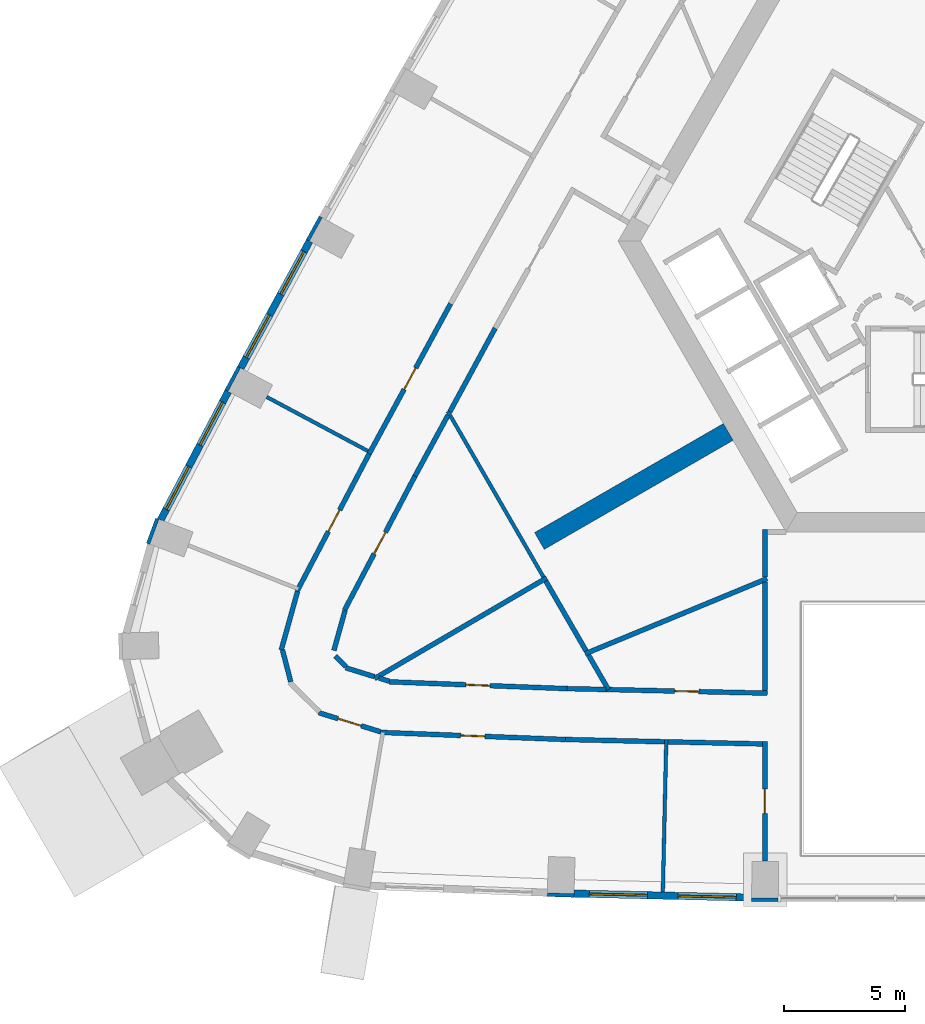
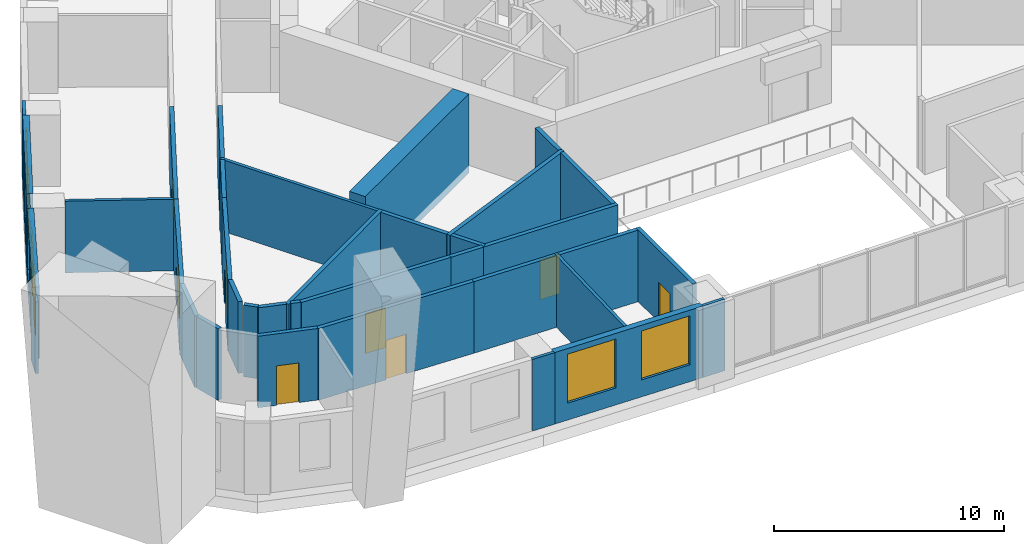
# One storey, part 4 of 15: 37 walls, 8 doors, 6 windows, 14 openings.
"""IFC4 building model written with IfcOpenShell, lengths in metres."""

from ifc_helpers import new_model, si_unit, direction, frame, frame_2d, origin, place, context, subcontext, project, spatial, rectangle, extrude, material, layer, layer_set, type_object, element, fill, save


model = new_model("IFC4")

# Units and contexts
model_context = context("Model", 3, precision=1e-05, world=origin(), true_north=direction((0.0, 1.0)))
body_context = subcontext(model_context, "Body", "Model", "MODEL_VIEW")
ifc_project = project(units=[si_unit("LENGTHUNIT", "METRE"), si_unit("AREAUNIT", "SQUARE_METRE"), si_unit("VOLUMEUNIT", "CUBIC_METRE"), si_unit("PLANEANGLEUNIT", "RADIAN"), si_unit("MASSUNIT", "GRAM", prefix="KILO")], contexts=[model_context])

# Site, building, storey
site_placement = place(None, origin())
site = spatial("IfcSite", under=ifc_project, at=site_placement, CompositionType="ELEMENT")
building_placement = place(site_placement, origin())
building = spatial("IfcBuilding", under=site, at=building_placement, Name="Entoto Arch Interchange Tower", CompositionType="ELEMENT")
storey_placement = place(building_placement, frame((0.0, 0.0, 150.800048828125)))
storey = spatial("IfcBuildingStorey", under=building, at=storey_placement, Name="L33", CompositionType="ELEMENT", Elevation=150.800048828125)

# Walls
ifc_material_1 = material(Name="Concrete C50/60", Category="concrete")
ifc_layer_1 = layer(ifc_material_1, 0.800048828125)
ifc_layer_set_1 = layer_set([ifc_layer_1], Name="Concrete C50/60")
wall_type_1 = type_object("IfcWallType", Name="Buttress wall 800 C50/60", PredefinedType="SHEAR", material=ifc_layer_set_1)
wall_1_placement = place(storey_placement, frame((-9.31005859375, -5.375, -0.400146484375), z_axis=(0.0, 0.0, 1.0), x_axis=(-0.866017533419, -0.500013631625, 0.0)))
element("IfcWall", 1, at=wall_1_placement, inside=storey, type_object=wall_type_1, Name="Buttress wall SW L33", PredefinedType="SHEAR", context=body_context, shape_type="SweptSolid", body=[
    extrude(rectangle(XDim=8.999755859375, YDim=0.800048828125, at=frame_2d((4.5, 0.0))), origin(), (0.0, 0.0, 1.0), 4.2001953125),
])
ifc_material_2 = material(Name="Gypsum board partition on steel studs", Category="steel")
ifc_layer_2 = layer(ifc_material_2, 0.14990234375)
ifc_layer_set_2 = layer_set([ifc_layer_2], Name="Gypsum board partition on steel studs")
wall_type_2 = type_object("IfcWallType", Name="PARTITION 150", PredefinedType="PARTITIONING", material=ifc_layer_set_2)
wall_2_placement = place(storey_placement, frame((-16.93896484375, -11.360107421875, 0.0), z_axis=(0.0, 0.0, 1.0), x_axis=(-0.500053473428, 0.865994528685, 0.0)))
element("IfcWall", 2, at=wall_2_placement, inside=storey, type_object=wall_type_2, Name="wall:L33:p119", PredefinedType="PARTITIONING", context=body_context, shape_type="SweptSolid", body=[
    extrude(rectangle(XDim=7.895263671875, YDim=0.14990234375, at=frame_2d((3.94775390625, 0.0))), origin(), (0.0, 0.0, 1.0), 3.800048828125),
])
wall_3_placement = place(storey_placement, frame((-24.181884765625, -6.162109375, 0.0), z_axis=(0.0, 0.0, 1.0), x_axis=(-0.88214427755, 0.470979270866, 0.0)))
element("IfcWall", 3, at=wall_3_placement, inside=storey, type_object=wall_type_2, Name="wall:L33:p135", PredefinedType="PARTITIONING", context=body_context, shape_type="SweptSolid", body=[
    extrude(rectangle(XDim=4.730712890625, YDim=0.14990234375, at=frame_2d((2.365234375, 0.0))), origin(), (0.0, 0.0, 1.0), 3.800048828125),
])
wall_4_placement = place(storey_placement, frame((-11.867919921875, -18.06298828125, 0.0), z_axis=(0.0, 0.0, 1.0), x_axis=(-0.022551528502, -0.999745681942, 0.0)))
element("IfcWall", 4, at=wall_4_placement, inside=storey, type_object=wall_type_2, Name="wall:L33:p138", PredefinedType="PARTITIONING", context=body_context, shape_type="SweptSolid", body=[
    extrude(rectangle(XDim=6.30078125, YDim=0.14990234375, at=frame_2d((3.150390625, 0.0))), origin(), (0.0, 0.0, 1.0), 3.800048828125),
])
ifc_layer_3 = layer(ifc_material_2, 0.199951171875)
ifc_layer_set_3 = layer_set([ifc_layer_3], Name="Gypsum board partition on steel studs")
wall_type_3 = type_object("IfcWallType", Name="PARTITION 200", PredefinedType="PARTITIONING", material=ifc_layer_set_3)
wall_5_placement = place(storey_placement, frame((-18.929931640625, -1.094970703125, 0.0), z_axis=(0.0, 0.0, 1.0), x_axis=(-0.476854303058, -0.878982351162, 0.0)))
element("IfcWall", 5, at=wall_5_placement, inside=storey, type_object=wall_type_3, Name="wall:L33:p028", PredefinedType="PARTITIONING", context=body_context, shape_type="SweptSolid", body=[
    extrude(rectangle(XDim=3.923828125, YDim=0.199951171875, at=frame_2d((1.9619140625, 0.0))), origin(), (0.0, 0.0, 1.0), 3.800048828125),
])

# Wall, opening, door
wall_6_placement = place(storey_placement, frame((-14.35595703125, -16.006103515625, 0.0), z_axis=(0.0, 0.0, 1.0), x_axis=(0.999743177933, -0.022662263286, 0.0)))
wall_6 = element("IfcWall", 6, at=wall_6_placement, inside=storey, type_object=wall_type_3, Name="wall:L33:p031", PredefinedType="PARTITIONING", context=body_context, shape_type="SweptSolid", body=[
    extrude(rectangle(XDim=6.65771484375, YDim=0.199951171875, at=frame_2d((3.328857421875, 0.0))), origin(), (0.0, 0.0, 1.0), 3.800048828125),
])
opening_1_placement = place(wall_6_placement, frame((2.8291015625, 0.0, 0.0)))
opening_1 = element("IfcOpeningElement", 7, at=opening_1_placement, cuts=wall_6, Name="Opening L33-D25", PredefinedType="OPENING", context=body_context, shape_type="SweptSolid", body=[
    extrude(rectangle(XDim=1.0, YDim=2.10009765625, at=frame_2d((0.5, 1.050048828125))), frame((0.0, 0.10986328125, 0.0), z_axis=(0.0, -1.0, 0.0), x_axis=(1.0, 0.0, 0.0)), (0.0, 0.0, 1.0), 0.219970703125),
])
ifc_material_3 = material(Name="Timber door leaf in Steel S235 frame", Category="steel")
door_type = type_object("IfcDoorType", Name="DOOR DS-10 1000x2100", OperationType="SINGLE_SWING_LEFT", PredefinedType="DOOR", material=ifc_material_3)
door_1_placement = place(opening_1_placement, origin())
door_1 = element("IfcDoor", 8, at=door_1_placement, inside=storey, type_object=door_type, Name="door:L33:25", OperationType="SINGLE_SWING_LEFT", OverallHeight=2.10009765625, OverallWidth=1.0, PredefinedType="DOOR", context=body_context, shape_type="SweptSolid", body=[
    extrude(rectangle(XDim=1.0, YDim=2.10009765625, at=frame_2d((0.5, 1.050048828125))), frame((0.0, 0.02490234375, 0.0), z_axis=(0.0, -1.0, 0.0), x_axis=(1.0, 0.0, 0.0)), (0.0, 0.0, 1.0), 0.050048828125),
])
fill(opening_1, door_1)

# Wall
wall_7_placement = place(storey_placement, frame((-20.873046875, -4.676025390625, 0.0), z_axis=(0.0, 0.0, 1.0), x_axis=(-0.476781985736, -0.879021579984, 0.0)))
element("IfcWall", 9, at=wall_7_placement, inside=storey, type_object=wall_type_3, Name="wall:L33:p032", PredefinedType="PARTITIONING", context=body_context, shape_type="SweptSolid", body=[
    extrude(rectangle(XDim=2.869140625, YDim=0.199951171875, at=frame_2d((1.4345703125, 0.0))), origin(), (0.0, 0.0, 1.0), 3.800048828125),
])

# Wall, opening, door
wall_8_placement = place(storey_placement, frame((-22.240966796875, -7.197998046875, 0.0), z_axis=(0.0, 0.0, 1.0), x_axis=(-0.465089990515, -0.885263407536, 0.0)))
wall_8 = element("IfcWall", 10, at=wall_8_placement, inside=storey, type_object=wall_type_3, Name="wall:L33:p033", PredefinedType="PARTITIONING", context=body_context, shape_type="SweptSolid", body=[
    extrude(rectangle(XDim=6.23974609375, YDim=0.199951171875, at=frame_2d((3.119873046875, 0.0))), origin(), (0.0, 0.0, 1.0), 3.800048828125),
])
opening_2_placement = place(wall_8_placement, frame((2.6201171875, 0.0, 0.0)))
opening_2 = element("IfcOpeningElement", 11, at=opening_2_placement, cuts=wall_8, Name="Opening L33-D26", PredefinedType="OPENING", context=body_context, shape_type="SweptSolid", body=[
    extrude(rectangle(XDim=1.0, YDim=2.10009765625, at=frame_2d((0.5, 1.050048828125))), frame((0.0, 0.10986328125, 0.0), z_axis=(0.0, -1.0, 0.0), x_axis=(1.0, 0.0, 0.0)), (0.0, 0.0, 1.0), 0.219970703125),
])
door_2_placement = place(opening_2_placement, origin())
door_2 = element("IfcDoor", 12, at=door_2_placement, inside=storey, type_object=door_type, Name="door:L33:26", OperationType="SINGLE_SWING_LEFT", OverallHeight=2.10009765625, OverallWidth=1.0, PredefinedType="DOOR", context=body_context, shape_type="SweptSolid", body=[
    extrude(rectangle(XDim=1.0, YDim=2.10009765625, at=frame_2d((0.5, 1.050048828125))), frame((0.0, 0.02490234375, 0.0), z_axis=(0.0, -1.0, 0.0), x_axis=(1.0, 0.0, 0.0)), (0.0, 0.0, 1.0), 0.050048828125),
])
fill(opening_2, door_2)

# Walls
wall_9_placement = place(storey_placement, frame((-25.123046875, -12.72998046875, 0.0), z_axis=(0.0, 0.0, 1.0), x_axis=(-0.268139825244, -0.963380005044, 0.0)))
element("IfcWall", 13, at=wall_9_placement, inside=storey, type_object=wall_type_3, Name="wall:L33:p034", PredefinedType="PARTITIONING", context=body_context, shape_type="SweptSolid", body=[
    extrude(rectangle(XDim=1.726318359375, YDim=0.199951171875, at=frame_2d((0.86328125, 0.0))), origin(), (0.0, 0.0, 1.0), 3.800048828125),
])
wall_10_placement = place(storey_placement, frame((-25.52587890625, -14.6259765625, 0.0), z_axis=(0.0, 0.0, 1.0), x_axis=(0.711758647644, -0.702424108003, 0.0)))
element("IfcWall", 14, at=wall_10_placement, inside=storey, type_object=wall_type_3, Name="wall:L33:p035", PredefinedType="PARTITIONING", context=body_context, shape_type="SweptSolid", body=[
    extrude(rectangle(XDim=0.627685546875, YDim=0.199951171875, at=frame_2d((0.31396484375, 0.0))), origin(), (0.0, 0.0, 1.0), 3.800048828125),
])
wall_11_placement = place(storey_placement, frame((-25.10302734375, -15.10791015625, 0.0), z_axis=(0.0, 0.0, 1.0), x_axis=(0.955420813731, -0.295247470251, 0.0)))
element("IfcWall", 15, at=wall_11_placement, inside=storey, type_object=wall_type_3, Name="wall:L33:p036", PredefinedType="PARTITIONING", context=body_context, shape_type="SweptSolid", body=[
    extrude(rectangle(XDim=1.240234375, YDim=0.199951171875, at=frame_2d((0.6201171875, 0.0))), origin(), (0.0, 0.0, 1.0), 3.800048828125),
])
wall_12_placement = place(storey_placement, frame((-23.72705078125, -15.531982421875, 0.0), z_axis=(0.0, 0.0, 1.0), x_axis=(0.955237350621, -0.295840504289, 0.0)))
element("IfcWall", 16, at=wall_12_placement, inside=storey, type_object=wall_type_3, Name="wall:L33:p037", PredefinedType="PARTITIONING", context=body_context, shape_type="SweptSolid", body=[
    extrude(rectangle(XDim=0.43994140625, YDim=0.199951171875, at=frame_2d((0.219970703125, 0.0))), origin(), (0.0, 0.0, 1.0), 3.800048828125),
])

# Wall, opening, door
wall_13_placement = place(storey_placement, frame((-23.31103515625, -15.68798828125, 0.0), z_axis=(0.0, 0.0, 1.0), x_axis=(0.999262695969, -0.038393546916, 0.0)))
wall_13 = element("IfcWall", 17, at=wall_13_placement, inside=storey, type_object=wall_type_3, Name="wall:L33:p038", PredefinedType="PARTITIONING", context=body_context, shape_type="SweptSolid", body=[
    extrude(rectangle(XDim=7.344482421875, YDim=0.199951171875, at=frame_2d((3.67236328125, 0.0))), origin(), (0.0, 0.0, 1.0), 3.800048828125),
])
opening_3_placement = place(wall_13_placement, frame((3.172119140625, 0.0, 0.0)))
opening_3 = element("IfcOpeningElement", 18, at=opening_3_placement, cuts=wall_13, Name="Opening L33-D27", PredefinedType="OPENING", context=body_context, shape_type="SweptSolid", body=[
    extrude(rectangle(XDim=1.0, YDim=2.10009765625, at=frame_2d((0.5, 1.050048828125))), frame((0.0, 0.10986328125, 0.0), z_axis=(0.0, -1.0, 0.0), x_axis=(1.0, 0.0, 0.0)), (0.0, 0.0, 1.0), 0.219970703125),
])
door_3_placement = place(opening_3_placement, origin())
door_3 = element("IfcDoor", 19, at=door_3_placement, inside=storey, type_object=door_type, Name="door:L33:27", OperationType="SINGLE_SWING_RIGHT", OverallHeight=2.10009765625, OverallWidth=1.0, PredefinedType="DOOR", context=body_context, shape_type="SweptSolid", body=[
    extrude(rectangle(XDim=1.0, YDim=2.10009765625, at=frame_2d((0.5, 1.050048828125))), frame((0.0, 0.02490234375, 0.0), z_axis=(0.0, -1.0, 0.0), x_axis=(1.0, 0.0, 0.0)), (0.0, 0.0, 1.0), 0.050048828125),
])
fill(opening_3, door_3)

# Wall
wall_14_placement = place(storey_placement, frame((-15.971923828125, -15.969970703125, 0.0), z_axis=(0.0, 0.0, 1.0), x_axis=(0.999750111735, -0.022354285623, 0.0)))
element("IfcWall", 20, at=wall_14_placement, inside=storey, type_object=wall_type_3, Name="wall:L33:p039", PredefinedType="PARTITIONING", context=body_context, shape_type="SweptSolid", body=[
    extrude(rectangle(XDim=1.616455078125, YDim=0.199951171875, at=frame_2d((0.80810546875, 0.0))), origin(), (0.0, 0.0, 1.0), 3.800048828125),
])

# Wall, opening, door
wall_15_placement = place(storey_placement, frame((-24.1298828125, -6.27490234375, 0.0), z_axis=(0.0, 0.0, 1.0), x_axis=(0.476981750532, 0.878913198023, 0.0)))
wall_15 = element("IfcWall", 21, at=wall_15_placement, inside=storey, type_object=wall_type_3, Name="wall:L33:p064", PredefinedType="PARTITIONING", context=body_context, shape_type="SweptSolid", body=[
    extrude(rectangle(XDim=7.046142578125, YDim=0.199951171875, at=frame_2d((3.52294921875, 0.0))), origin(), (0.0, 0.0, 1.0), 3.800048828125),
])
opening_4_placement = place(wall_15_placement, frame((3.02294921875, 0.0, 0.0)))
opening_4 = element("IfcOpeningElement", 22, at=opening_4_placement, cuts=wall_15, Name="Opening L33-D13", PredefinedType="OPENING", context=body_context, shape_type="SweptSolid", body=[
    extrude(rectangle(XDim=1.0, YDim=2.10009765625, at=frame_2d((0.5, 1.050048828125))), frame((0.0, 0.10986328125, 0.0), z_axis=(0.0, -1.0, 0.0), x_axis=(1.0, 0.0, 0.0)), (0.0, 0.0, 1.0), 0.219970703125),
])
door_4_placement = place(opening_4_placement, origin())
door_4 = element("IfcDoor", 23, at=door_4_placement, inside=storey, type_object=door_type, Name="door:L33:13", OperationType="SINGLE_SWING_RIGHT", OverallHeight=2.10009765625, OverallWidth=1.0, PredefinedType="DOOR", context=body_context, shape_type="SweptSolid", body=[
    extrude(rectangle(XDim=1.0, YDim=2.10009765625, at=frame_2d((0.5, 1.050048828125))), frame((0.0, 0.02490234375, 0.0), z_axis=(0.0, -1.0, 0.0), x_axis=(1.0, 0.0, 0.0)), (0.0, 0.0, 1.0), 0.050048828125),
])
fill(opening_4, door_4)

wall_16_placement = place(storey_placement, frame((-27.10595703125, -11.944091796875, 0.0), z_axis=(0.0, 0.0, 1.0), x_axis=(0.464985599417, 0.885318243534, 0.0)))
wall_16 = element("IfcWall", 24, at=wall_16_placement, inside=storey, type_object=wall_type_3, Name="wall:L33:p066", PredefinedType="PARTITIONING", context=body_context, shape_type="SweptSolid", body=[
    extrude(rectangle(XDim=6.40234375, YDim=0.199951171875, at=frame_2d((3.201171875, 0.0))), origin(), (0.0, 0.0, 1.0), 3.800048828125),
])
opening_5_placement = place(wall_16_placement, frame((2.77587890625, 0.0, 0.0)))
opening_5 = element("IfcOpeningElement", 25, at=opening_5_placement, cuts=wall_16, Name="Opening L33-D14", PredefinedType="OPENING", context=body_context, shape_type="SweptSolid", body=[
    extrude(rectangle(XDim=1.0, YDim=2.10009765625, at=frame_2d((0.5, 1.050048828125))), frame((0.0, 0.10986328125, 0.0), z_axis=(0.0, -1.0, 0.0), x_axis=(1.0, 0.0, 0.0)), (0.0, 0.0, 1.0), 0.219970703125),
])
door_5_placement = place(opening_5_placement, origin())
door_5 = element("IfcDoor", 26, at=door_5_placement, inside=storey, type_object=door_type, Name="door:L33:14", OperationType="SINGLE_SWING_LEFT", OverallHeight=2.10009765625, OverallWidth=1.0, PredefinedType="DOOR", context=body_context, shape_type="SweptSolid", body=[
    extrude(rectangle(XDim=1.0, YDim=2.10009765625, at=frame_2d((0.5, 1.050048828125))), frame((0.0, 0.02490234375, 0.0), z_axis=(0.0, -1.0, 0.0), x_axis=(1.0, 0.0, 0.0)), (0.0, 0.0, 1.0), 0.050048828125),
])
fill(opening_5, door_5)

wall_17_placement = place(storey_placement, frame((-23.6630859375, -17.75, 0.0), z_axis=(0.0, 0.0, 1.0), x_axis=(-0.955509582123, 0.294960062501, 0.0)))
wall_17 = element("IfcWall", 27, at=wall_17_placement, inside=storey, type_object=wall_type_3, Name="wall:L33:p067", PredefinedType="PARTITIONING", context=body_context, shape_type="SweptSolid", body=[
    extrude(rectangle(XDim=2.66845703125, YDim=0.199951171875, at=frame_2d((1.334228515625, 0.0))), origin(), (0.0, 0.0, 1.0), 3.800048828125),
])
opening_6_placement = place(wall_17_placement, frame((0.833984375, 0.0, 0.0)))
opening_6 = element("IfcOpeningElement", 28, at=opening_6_placement, cuts=wall_17, Name="Opening L33-D15", PredefinedType="OPENING", context=body_context, shape_type="SweptSolid", body=[
    extrude(rectangle(XDim=1.0, YDim=2.10009765625, at=frame_2d((0.5, 1.050048828125))), frame((0.0, 0.10986328125, 0.0), z_axis=(0.0, -1.0, 0.0), x_axis=(1.0, 0.0, 0.0)), (0.0, 0.0, 1.0), 0.219970703125),
])
door_6_placement = place(opening_6_placement, origin())
door_6 = element("IfcDoor", 29, at=door_6_placement, inside=storey, type_object=door_type, Name="door:L33:15", OperationType="SINGLE_SWING_LEFT", OverallHeight=2.10009765625, OverallWidth=1.0, PredefinedType="DOOR", context=body_context, shape_type="SweptSolid", body=[
    extrude(rectangle(XDim=1.0, YDim=2.10009765625, at=frame_2d((0.5, 1.050048828125))), frame((0.0, 0.02490234375, 0.0), z_axis=(0.0, -1.0, 0.0), x_axis=(1.0, 0.0, 0.0)), (0.0, 0.0, 1.0), 0.050048828125),
])
fill(opening_6, door_6)

# Walls
wall_18_placement = place(storey_placement, frame((-27.366943359375, -15.68798828125, 0.0), z_axis=(0.0, 0.0, 1.0), x_axis=(-0.25159336549, 0.967833032316, 0.0)))
element("IfcWall", 30, at=wall_18_placement, inside=storey, type_object=wall_type_3, Name="wall:L33:p069", PredefinedType="PARTITIONING", context=body_context, shape_type="SweptSolid", body=[
    extrude(rectangle(XDim=1.355712890625, YDim=0.199951171875, at=frame_2d((0.677734375, 0.0))), origin(), (0.0, 0.0, 1.0), 3.800048828125),
])
wall_19_placement = place(storey_placement, frame((-27.760009765625, -14.3759765625, 0.0), z_axis=(0.0, 0.0, 1.0), x_axis=(0.267909096687, 0.963444194498, 0.0)))
element("IfcWall", 31, at=wall_19_placement, inside=storey, type_object=wall_type_3, Name="wall:L33:p070", PredefinedType="PARTITIONING", context=body_context, shape_type="SweptSolid", body=[
    extrude(rectangle(XDim=2.51611328125, YDim=0.199951171875, at=frame_2d((1.258056640625, 0.0))), origin(), (0.0, 0.0, 1.0), 3.800048828125),
])
wall_20_placement = place(storey_placement, frame((-11.945068359375, -18.162109375, 0.0), z_axis=(0.0, 0.0, 1.0), x_axis=(-0.999741589065, 0.022732247877, 0.0)))
element("IfcWall", 32, at=wall_20_placement, inside=storey, type_object=wall_type_3, Name="wall:L33:p071", PredefinedType="PARTITIONING", context=body_context, shape_type="SweptSolid", body=[
    extrude(rectangle(XDim=4.091796875, YDim=0.199951171875, at=frame_2d((2.0458984375, 0.0))), origin(), (0.0, 0.0, 1.0), 3.800048828125),
])

# Wall, opening, door
wall_21_placement = place(storey_placement, frame((-16.035888671875, -18.069091796875, 0.0), z_axis=(0.0, 0.0, 1.0), x_axis=(-0.999262637786, 0.038395061202, 0.0)))
wall_21 = element("IfcWall", 33, at=wall_21_placement, inside=storey, type_object=wall_type_3, Name="wall:L33:p072", PredefinedType="PARTITIONING", context=body_context, shape_type="SweptSolid", body=[
    extrude(rectangle(XDim=7.63671875, YDim=0.199951171875, at=frame_2d((3.818359375, 0.0))), origin(), (0.0, 0.0, 1.0), 3.800048828125),
])
opening_7_placement = place(wall_21_placement, frame((3.318115234375, 0.0, 0.0)))
opening_7 = element("IfcOpeningElement", 34, at=opening_7_placement, cuts=wall_21, Name="Opening L33-D16", PredefinedType="OPENING", context=body_context, shape_type="SweptSolid", body=[
    extrude(rectangle(XDim=1.0, YDim=2.10009765625, at=frame_2d((0.5, 1.050048828125))), frame((0.0, 0.10986328125, 0.0), z_axis=(0.0, -1.0, 0.0), x_axis=(1.0, 0.0, 0.0)), (0.0, 0.0, 1.0), 0.219970703125),
])
door_7_placement = place(opening_7_placement, origin())
door_7 = element("IfcDoor", 35, at=door_7_placement, inside=storey, type_object=door_type, Name="door:L33:16", OperationType="SINGLE_SWING_RIGHT", OverallHeight=2.10009765625, OverallWidth=1.0, PredefinedType="DOOR", context=body_context, shape_type="SweptSolid", body=[
    extrude(rectangle(XDim=1.0, YDim=2.10009765625, at=frame_2d((0.5, 1.050048828125))), frame((0.0, 0.02490234375, 0.0), z_axis=(0.0, -1.0, 0.0), x_axis=(1.0, 0.0, 0.0)), (0.0, 0.0, 1.0), 0.050048828125),
])
fill(opening_7, door_7)

# Walls
wall_22_placement = place(storey_placement, frame((-7.89990234375, -18.2529296875, 0.0), z_axis=(0.0, 0.0, 1.0), x_axis=(-0.999745510411, 0.022559131487, 0.0)))
element("IfcWall", 36, at=wall_22_placement, inside=storey, type_object=wall_type_3, Name="wall:L33:p073", PredefinedType="PARTITIONING", context=body_context, shape_type="SweptSolid", body=[
    extrude(rectangle(XDim=3.89599609375, YDim=0.199951171875, at=frame_2d((1.947998046875, 0.0))), origin(), (0.0, 0.0, 1.0), 3.800048828125),
])
wall_23_placement = place(storey_placement, frame((-7.800048828125, -11.367919921875, 0.0), z_axis=(0.0, 0.0, 1.0), x_axis=(0.0, 1.0, 0.0)))
element("IfcWall", 37, at=wall_23_placement, inside=storey, type_object=wall_type_3, Name="wall:L33:p105", PredefinedType="PARTITIONING", context=body_context, shape_type="SweptSolid", body=[
    extrude(rectangle(XDim=1.968994140625, YDim=0.199951171875, at=frame_2d((0.984375, 0.0))), origin(), (0.0, 0.0, 1.0), 3.800048828125),
])
wall_24_placement = place(storey_placement, frame((-7.800048828125, -16.054931640625, 0.0), z_axis=(0.0, 0.0, 1.0), x_axis=(0.0, 1.0, 0.0)))
element("IfcWall", 38, at=wall_24_placement, inside=storey, type_object=wall_type_3, Name="wall:L33:p107", PredefinedType="PARTITIONING", context=body_context, shape_type="SweptSolid", body=[
    extrude(rectangle(XDim=4.48681640625, YDim=0.199951171875, at=frame_2d((2.243408203125, 0.0))), origin(), (0.0, 0.0, 1.0), 3.800048828125),
])

# Wall, opening, door
wall_25_placement = place(storey_placement, frame((-7.800048828125, -23.0869140625, 0.0), z_axis=(0.0, 0.0, 1.0), x_axis=(0.0, 1.0, 0.0)))
wall_25 = element("IfcWall", 39, at=wall_25_placement, inside=storey, type_object=wall_type_3, Name="wall:L33:p109", PredefinedType="PARTITIONING", context=body_context, shape_type="SweptSolid", body=[
    extrude(rectangle(XDim=4.931884765625, YDim=0.199951171875, at=frame_2d((2.4658203125, 0.0))), origin(), (0.0, 0.0, 1.0), 3.800048828125),
])
opening_8_placement = place(wall_25_placement, frame((1.966064453125, 0.0, 0.0)))
opening_8 = element("IfcOpeningElement", 40, at=opening_8_placement, cuts=wall_25, Name="Opening L33-D17", PredefinedType="OPENING", context=body_context, shape_type="SweptSolid", body=[
    extrude(rectangle(XDim=1.0, YDim=2.10009765625, at=frame_2d((0.5, 1.050048828125))), frame((0.0, 0.10986328125, 0.0), z_axis=(0.0, -1.0, 0.0), x_axis=(1.0, 0.0, 0.0)), (0.0, 0.0, 1.0), 0.219970703125),
])
door_8_placement = place(opening_8_placement, origin())
door_8 = element("IfcDoor", 41, at=door_8_placement, inside=storey, type_object=door_type, Name="door:L33:17", OperationType="SINGLE_SWING_LEFT", OverallHeight=2.10009765625, OverallWidth=1.0, PredefinedType="DOOR", context=body_context, shape_type="SweptSolid", body=[
    extrude(rectangle(XDim=1.0, YDim=2.10009765625, at=frame_2d((0.5, 1.050048828125))), frame((0.0, 0.02490234375, 0.0), z_axis=(0.0, -1.0, 0.0), x_axis=(1.0, 0.0, 0.0)), (0.0, 0.0, 1.0), 0.050048828125),
])
fill(opening_8, door_8)

# Walls
wall_26_placement = place(storey_placement, frame((-7.7080078125, -11.429931640625, 0.0), z_axis=(0.0, 0.0, 1.0), x_axis=(-0.924285151797, -0.381702709144, 0.0)))
element("IfcWall", 42, at=wall_26_placement, inside=storey, type_object=wall_type_3, Name="wall:L33:p118", PredefinedType="PARTITIONING", context=body_context, shape_type="SweptSolid", body=[
    extrude(rectangle(XDim=8.12939453125, YDim=0.199951171875, at=frame_2d((4.064697265625, 0.0))), origin(), (0.0, 0.0, 1.0), 3.800048828125),
])
wall_27_placement = place(storey_placement, frame((-15.179931640625, -14.407958984375, 0.0), z_axis=(0.0, 0.0, 1.0), x_axis=(-0.499968694491, 0.866043477274, 0.0)))
element("IfcWall", 43, at=wall_27_placement, inside=storey, type_object=wall_type_3, Name="wall:L33:p120", PredefinedType="PARTITIONING", context=body_context, shape_type="SweptSolid", body=[
    extrude(rectangle(XDim=3.318603515625, YDim=0.199951171875, at=frame_2d((1.6591796875, 0.0))), origin(), (0.0, 0.0, 1.0), 3.800048828125),
])
wall_28_placement = place(storey_placement, frame((-14.256103515625, -16.009033203125, 0.0), z_axis=(0.0, 0.0, 1.0), x_axis=(-0.499786551025, 0.86614860354, 0.0)))
element("IfcWall", 44, at=wall_28_placement, inside=storey, type_object=wall_type_3, Name="wall:L33:p121", PredefinedType="PARTITIONING", context=body_context, shape_type="SweptSolid", body=[
    extrude(rectangle(XDim=1.648681640625, YDim=0.199951171875, at=frame_2d((0.82421875, 0.0))), origin(), (0.0, 0.0, 1.0), 3.800048828125),
])
wall_29_placement = place(storey_placement, frame((-16.802978515625, -11.39697265625, 0.0), z_axis=(0.0, 0.0, 1.0), x_axis=(-0.863203941699, -0.504855380318, 0.0)))
element("IfcWall", 45, at=wall_29_placement, inside=storey, type_object=wall_type_3, Name="wall:L33:p122", PredefinedType="PARTITIONING", context=body_context, shape_type="SweptSolid", body=[
    extrude(rectangle(XDim=8.232177734375, YDim=0.199951171875, at=frame_2d((4.1162109375, 0.0))), origin(), (0.0, 0.0, 1.0), 3.800048828125),
])

# Wall, openings, windows
ifc_material_4 = material(Name="Welded tuff (ignimbrite) cladding, warm buff", Category="masonry")
ifc_layer_4 = layer(ifc_material_4, 0.300048828125)
ifc_layer_set_4 = layer_set([ifc_layer_4], Name="Welded tuff (ignimbrite) cladding, warm buff")
wall_type_4 = type_object("IfcWallType", Name="STONE INFILL WALL 300", PredefinedType="STANDARD", material=ifc_layer_set_4)
wall_30_placement = place(storey_placement, frame((-15.679931640625, -24.428955078125, 0.0), z_axis=(0.0, 0.0, 1.0), x_axis=(0.999743825009, -0.022633699594, 0.0)))
wall_30 = element("IfcWall", 46, at=wall_30_placement, inside=storey, type_object=wall_type_4, Name="Facade wall S-02 L33", PredefinedType="STANDARD", context=body_context, shape_type="SweptSolid", body=[
    extrude(rectangle(XDim=7.3349609375, YDim=0.300048828125, at=frame_2d((3.66748046875, 0.0))), origin(), (0.0, 0.0, 1.0), 3.800048828125),
])
opening_9_placement = place(wall_30_placement, frame((0.634033203125, 0.0, 0.89990234375)))
opening_9 = element("IfcOpeningElement", 47, at=opening_9_placement, cuts=wall_30, Name="Opening WO-A", PredefinedType="OPENING", context=body_context, shape_type="SweptSolid", body=[
    extrude(rectangle(XDim=2.39990234375, YDim=2.60009765625, at=frame_2d((1.199951171875, 1.300048828125))), frame((0.0, 0.16015625, 0.0), z_axis=(0.0, -1.0, 0.0), x_axis=(1.0, 0.0, 0.0)), (0.0, 0.0, 1.0), 0.320068359375),
])
opening_10_placement = place(wall_30_placement, frame((4.301025390625, 0.0, 0.89990234375)))
opening_10 = element("IfcOpeningElement", 48, at=opening_10_placement, cuts=wall_30, Name="Opening WO-A", PredefinedType="OPENING", context=body_context, shape_type="SweptSolid", body=[
    extrude(rectangle(XDim=2.39990234375, YDim=2.60009765625, at=frame_2d((1.199951171875, 1.300048828125))), frame((0.0, 0.16015625, 0.0), z_axis=(0.0, -1.0, 0.0), x_axis=(1.0, 0.0, 0.0)), (0.0, 0.0, 1.0), 0.320068359375),
])
ifc_material_5 = material(Name="Clear glass, low-e double glazed", Category="glass")
window_type_1 = type_object("IfcWindowType", Name="WINDOW WO-A 2400x2600", PartitioningType="DOUBLE_PANEL_VERTICAL", PredefinedType="WINDOW", material=ifc_material_5)
window_1_placement = place(opening_9_placement, origin())
window_1 = element("IfcWindow", 49, at=window_1_placement, inside=storey, type_object=window_type_1, Name="Window WO-A S-02 L33", OverallHeight=2.60009765625, OverallWidth=2.39990234375, PartitioningType="SINGLE_PANEL", PredefinedType="WINDOW", context=body_context, shape_type="SweptSolid", body=[
    extrude(rectangle(XDim=2.39990234375, YDim=2.60009765625, at=frame_2d((1.199951171875, 1.300048828125))), frame((0.0, 0.030029296875, 0.0), z_axis=(0.0, -1.0, 0.0), x_axis=(1.0, 0.0, 0.0)), (0.0, 0.0, 1.0), 0.06005859375),
])
fill(opening_9, window_1)
window_2_placement = place(opening_10_placement, origin())
window_2 = element("IfcWindow", 50, at=window_2_placement, inside=storey, type_object=window_type_1, Name="Window WO-A S-02 L33", OverallHeight=2.60009765625, OverallWidth=2.39990234375, PartitioningType="SINGLE_PANEL", PredefinedType="WINDOW", context=body_context, shape_type="SweptSolid", body=[
    extrude(rectangle(XDim=2.39990234375, YDim=2.60009765625, at=frame_2d((1.199951171875, 1.300048828125))), frame((0.0, 0.030029296875, 0.0), z_axis=(0.0, -1.0, 0.0), x_axis=(1.0, 0.0, 0.0)), (0.0, 0.0, 1.0), 0.06005859375),
])
fill(opening_10, window_2)

wall_31_placement = place(storey_placement, frame((-26.592041015625, 2.5009765625, 0.0), z_axis=(0.0, 0.0, 1.0), x_axis=(-0.476970695077, -0.878919197673, 0.0)))
wall_31 = element("IfcWall", 51, at=wall_31_placement, inside=storey, type_object=wall_type_4, Name="Facade wall NW-06 L33", PredefinedType="STANDARD", context=body_context, shape_type="SweptSolid", body=[
    extrude(rectangle(XDim=5.95849609375, YDim=0.300048828125, at=frame_2d((2.979248046875, 0.0))), origin(), (0.0, 0.0, 1.0), 3.800048828125),
])
opening_11_placement = place(wall_31_placement, frame((0.489990234375, 0.0, 0.89990234375)))
opening_11 = element("IfcOpeningElement", 52, at=opening_11_placement, cuts=wall_31, Name="Opening WO-C", PredefinedType="OPENING", context=body_context, shape_type="SweptSolid", body=[
    extrude(rectangle(XDim=2.0, YDim=2.60009765625, at=frame_2d((1.0, 1.300048828125))), frame((0.0, 0.16015625, 0.0), z_axis=(0.0, -1.0, 0.0), x_axis=(1.0, 0.0, 0.0)), (0.0, 0.0, 1.0), 0.320068359375),
])
opening_12_placement = place(wall_31_placement, frame((3.468994140625, 0.0, 0.89990234375)))
opening_12 = element("IfcOpeningElement", 53, at=opening_12_placement, cuts=wall_31, Name="Opening WO-C", PredefinedType="OPENING", context=body_context, shape_type="SweptSolid", body=[
    extrude(rectangle(XDim=2.0, YDim=2.60009765625, at=frame_2d((1.0, 1.300048828125))), frame((0.0, 0.16015625, 0.0), z_axis=(0.0, -1.0, 0.0), x_axis=(1.0, 0.0, 0.0)), (0.0, 0.0, 1.0), 0.320068359375),
])
window_type_2 = type_object("IfcWindowType", Name="WINDOW WO-C 2000x2600", PartitioningType="DOUBLE_PANEL_VERTICAL", PredefinedType="WINDOW", material=ifc_material_5)
window_3_placement = place(opening_11_placement, origin())
window_3 = element("IfcWindow", 54, at=window_3_placement, inside=storey, type_object=window_type_2, Name="Window WO-C NW-06 L33", OverallHeight=2.60009765625, OverallWidth=2.0, PartitioningType="SINGLE_PANEL", PredefinedType="WINDOW", context=body_context, shape_type="SweptSolid", body=[
    extrude(rectangle(XDim=2.0, YDim=2.60009765625, at=frame_2d((1.0, 1.300048828125))), frame((0.0, 0.030029296875, 0.0), z_axis=(0.0, -1.0, 0.0), x_axis=(1.0, 0.0, 0.0)), (0.0, 0.0, 1.0), 0.06005859375),
])
fill(opening_11, window_3)
window_4_placement = place(opening_12_placement, origin())
window_4 = element("IfcWindow", 55, at=window_4_placement, inside=storey, type_object=window_type_2, Name="Window WO-C NW-06 L33", OverallHeight=2.60009765625, OverallWidth=2.0, PartitioningType="SINGLE_PANEL", PredefinedType="WINDOW", context=body_context, shape_type="SweptSolid", body=[
    extrude(rectangle(XDim=2.0, YDim=2.60009765625, at=frame_2d((1.0, 1.300048828125))), frame((0.0, 0.030029296875, 0.0), z_axis=(0.0, -1.0, 0.0), x_axis=(1.0, 0.0, 0.0)), (0.0, 0.0, 1.0), 0.06005859375),
])
fill(opening_12, window_4)

wall_32_placement = place(storey_placement, frame((-29.950927734375, -3.705078125, 0.0), z_axis=(0.0, 0.0, 1.0), x_axis=(-0.465104650407, -0.885255705528, 0.0)))
wall_32 = element("IfcWall", 56, at=wall_32_placement, inside=storey, type_object=wall_type_4, Name="Facade wall NW-07 L33", PredefinedType="STANDARD", context=body_context, shape_type="SweptSolid", body=[
    extrude(rectangle(XDim=5.990234375, YDim=0.300048828125, at=frame_2d((2.9951171875, 0.0))), origin(), (0.0, 0.0, 1.0), 3.800048828125),
])
opening_13_placement = place(wall_32_placement, frame((0.498046875, 0.0, 0.89990234375)))
opening_13 = element("IfcOpeningElement", 57, at=opening_13_placement, cuts=wall_32, Name="Opening WO-C", PredefinedType="OPENING", context=body_context, shape_type="SweptSolid", body=[
    extrude(rectangle(XDim=2.0, YDim=2.60009765625, at=frame_2d((1.0, 1.300048828125))), frame((0.0, 0.16015625, 0.0), z_axis=(0.0, -1.0, 0.0), x_axis=(1.0, 0.0, 0.0)), (0.0, 0.0, 1.0), 0.320068359375),
])
opening_14_placement = place(wall_32_placement, frame((3.492919921875, 0.0, 0.89990234375)))
opening_14 = element("IfcOpeningElement", 58, at=opening_14_placement, cuts=wall_32, Name="Opening WO-C", PredefinedType="OPENING", context=body_context, shape_type="SweptSolid", body=[
    extrude(rectangle(XDim=2.0, YDim=2.60009765625, at=frame_2d((1.0, 1.300048828125))), frame((0.0, 0.16015625, 0.0), z_axis=(0.0, -1.0, 0.0), x_axis=(1.0, 0.0, 0.0)), (0.0, 0.0, 1.0), 0.320068359375),
])
window_5_placement = place(opening_13_placement, origin())
window_5 = element("IfcWindow", 59, at=window_5_placement, inside=storey, type_object=window_type_2, Name="Window WO-C NW-07 L33", OverallHeight=2.60009765625, OverallWidth=2.0, PartitioningType="SINGLE_PANEL", PredefinedType="WINDOW", context=body_context, shape_type="SweptSolid", body=[
    extrude(rectangle(XDim=2.0, YDim=2.60009765625, at=frame_2d((1.0, 1.300048828125))), frame((0.0, 0.030029296875, 0.0), z_axis=(0.0, -1.0, 0.0), x_axis=(1.0, 0.0, 0.0)), (0.0, 0.0, 1.0), 0.06005859375),
])
fill(opening_13, window_5)
window_6_placement = place(opening_14_placement, origin())
window_6 = element("IfcWindow", 60, at=window_6_placement, inside=storey, type_object=window_type_2, Name="Window WO-C NW-07 L33", OverallHeight=2.60009765625, OverallWidth=2.0, PartitioningType="SINGLE_PANEL", PredefinedType="WINDOW", context=body_context, shape_type="SweptSolid", body=[
    extrude(rectangle(XDim=2.0, YDim=2.60009765625, at=frame_2d((1.0, 1.300048828125))), frame((0.0, 0.030029296875, 0.0), z_axis=(0.0, -1.0, 0.0), x_axis=(1.0, 0.0, 0.0)), (0.0, 0.0, 1.0), 0.06005859375),
])
fill(opening_14, window_6)

# Walls
ifc_layer_5 = layer(ifc_material_4, 0.14990234375)
ifc_layer_set_5 = layer_set([ifc_layer_5], Name="Welded tuff (ignimbrite) cladding, warm buff")
wall_type_5 = type_object("IfcWallType", Name="STONE PIER CLADDING 150", PredefinedType="STANDARD", material=ifc_layer_set_5)
wall_33_placement = place(storey_placement, frame((-26.131103515625, 3.501953125, 0.0), z_axis=(0.0, 0.0, 1.0), x_axis=(-0.481680143513, -0.87634709981, 0.0)))
element("IfcWall", 61, at=wall_33_placement, inside=storey, type_object=wall_type_5, Name="Stone pier NW06 L33", PredefinedType="STANDARD", context=body_context, shape_type="SweptSolid", body=[
    extrude(rectangle(XDim=1.099853515625, YDim=0.14990234375, at=frame_2d((0.5498046875, 0.0))), origin(), (0.0, 0.0, 1.0), 3.800048828125),
])
for number, where, z_axis, x_axis, name in (
    (62, (-29.5029296875, -2.697998046875, 0.0), (0.0, 0.0, 1.0), (-0.470058271093, -0.88263538439, 0.0), "Stone pier NW07 L33"),
    (63, (-32.875, -8.9560546875, 0.0), (0.0, 0.0, 1.0), (-0.346425160624, -0.93807761304, 0.0), "Stone pier NW08 L33"),
):
    element("IfcWall", number, at=place(storey_placement, frame(where, z_axis=z_axis, x_axis=x_axis)), inside=storey, type_object=wall_type_5, Name=name, PredefinedType="STANDARD", context=body_context, shape_type="SweptSolid", body=[
        extrude(rectangle(XDim=1.10009765625, YDim=0.14990234375, at=frame_2d((0.550048828125, 0.0))), origin(), (0.0, 0.0, 1.0), 3.800048828125),
    ])
wall_34_placement = place(storey_placement, frame((-16.781005859375, -24.47412109375, 0.0), z_axis=(0.0, 0.0, 1.0), x_axis=(0.999523702549, -0.030860460829, 0.0)))
element("IfcWall", 64, at=wall_34_placement, inside=storey, type_object=wall_type_5, Name="Stone pier S02 L33", PredefinedType="STANDARD", context=body_context, shape_type="SweptSolid", body=[
    extrude(rectangle(XDim=1.099609375, YDim=0.14990234375, at=frame_2d((0.5498046875, 0.0))), origin(), (0.0, 0.0, 1.0), 3.800048828125),
])
wall_35_placement = place(storey_placement, frame((-8.34912109375, -24.676025390625, 0.0), z_axis=(0.0, 0.0, 1.0), x_axis=(0.999940879068, -0.010873746799, 0.0)))
element("IfcWall", 65, at=wall_35_placement, inside=storey, type_object=wall_type_5, Name="Stone pier S03 L33", PredefinedType="STANDARD", context=body_context, shape_type="SweptSolid", body=[
    extrude(rectangle(XDim=1.10009765625, YDim=0.14990234375, at=frame_2d((0.550048828125, 0.0))), origin(), (0.0, 0.0, 1.0), 3.800048828125),
])

save(model, "model.ifc")
